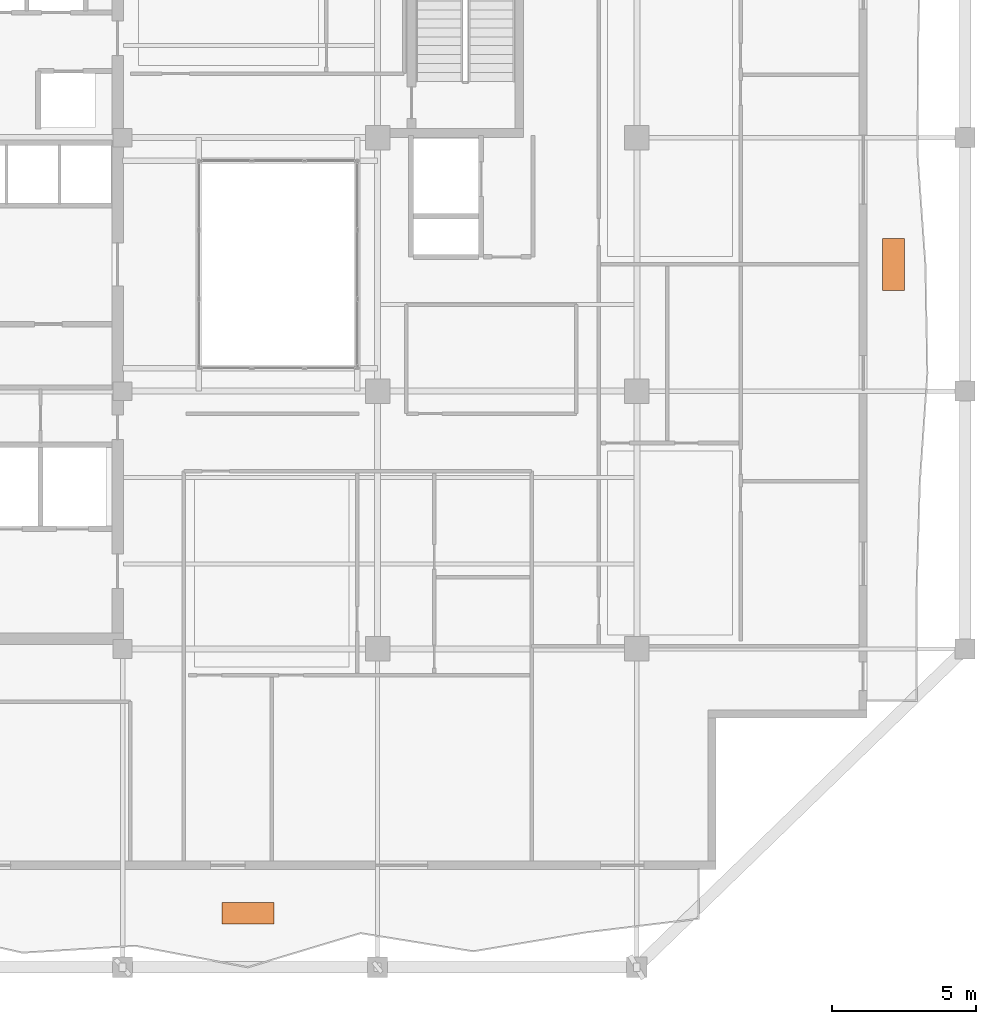
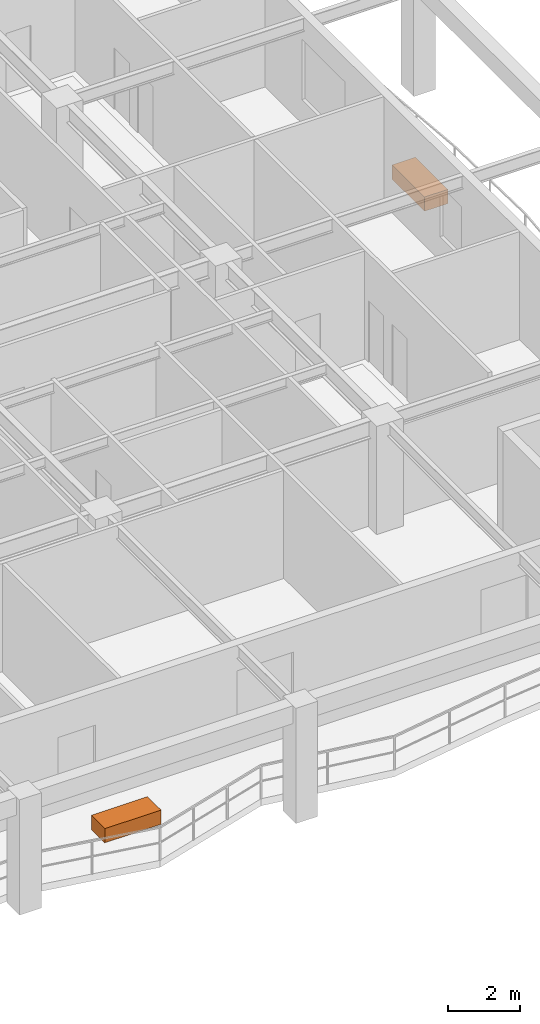
# One storey, part 15 of 15: 2 proxies.
"""IFC4 building model written with IfcOpenShell, lengths in metres."""

from ifc_helpers import new_model, si_unit, direction, frame, origin, origin_2d, place, context, subcontext, project, spatial, rectangle, extrude, material, type_object, element, save


model = new_model("IFC4")

# Units and contexts
model_context = context("Model", 3, precision=1e-05, world=origin(), true_north=direction((0.0, 1.0)))
body_context = subcontext(model_context, "Body", "Model", "MODEL_VIEW")
ifc_project = project(units=[si_unit("LENGTHUNIT", "METRE"), si_unit("AREAUNIT", "SQUARE_METRE"), si_unit("VOLUMEUNIT", "CUBIC_METRE"), si_unit("PLANEANGLEUNIT", "RADIAN"), si_unit("MASSUNIT", "GRAM", prefix="KILO")], contexts=[model_context])

# Site, building, storey
site_placement = place(None, origin())
site = spatial("IfcSite", under=ifc_project, at=site_placement, CompositionType="ELEMENT")
building_placement = place(site_placement, origin())
building = spatial("IfcBuilding", under=site, at=building_placement, Name="Kundavana Baori Tower", CompositionType="ELEMENT")
storey_placement = place(building_placement, frame((0.0, 0.0, 214.10009765625)))
storey = spatial("IfcBuildingStorey", under=building, at=storey_placement, Name="L52", CompositionType="ELEMENT", Elevation=214.10009765625)

# Proxies
ifc_material = material(Name="Red-Buff Dholpur Sandstone Cladding on Concrete C40/50", Category="masonry")
building_element_proxy_type = type_object("IfcBuildingElementProxyType", Name="PRX-PLANTER-1800", PredefinedType="USERDEFINED", material=ifc_material)
for number, where, z_axis, x_axis, name in (
    (1, (29.300048828125, 6.070068359375, 0.0), (0.0, 0.0, 1.0), (1.0, 0.0, 0.0), "L52 Dholpur Stone Structural Tree Planter S"),
    (2, (51.7119140625, 28.60009765625, 0.0), (0.0, 0.0, 1.0), (0.0, 1.0, 0.0), "L52 Dholpur Stone Structural Tree Planter E"),
):
    element("IfcBuildingElementProxy", number, at=place(storey_placement, frame(where, z_axis=z_axis, x_axis=x_axis)), inside=storey, type_object=building_element_proxy_type, Name=name, ObjectType="PLANTER", PredefinedType="USERDEFINED", context=body_context, shape_type="SweptSolid", body=[
        extrude(rectangle(XDim=1.800048828125, YDim=0.75, at=origin_2d()), origin(), (0.0, 0.0, 1.0), 0.47998046875),
    ])

save(model, "model.ifc")
